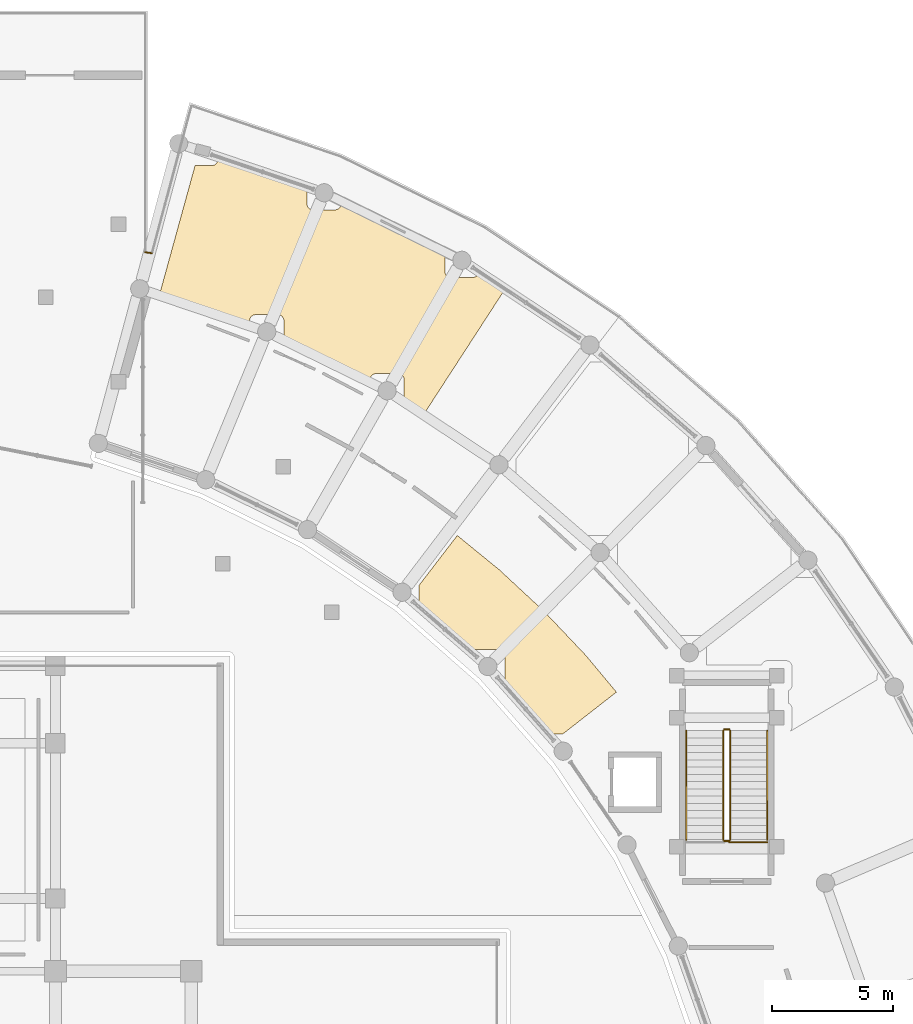
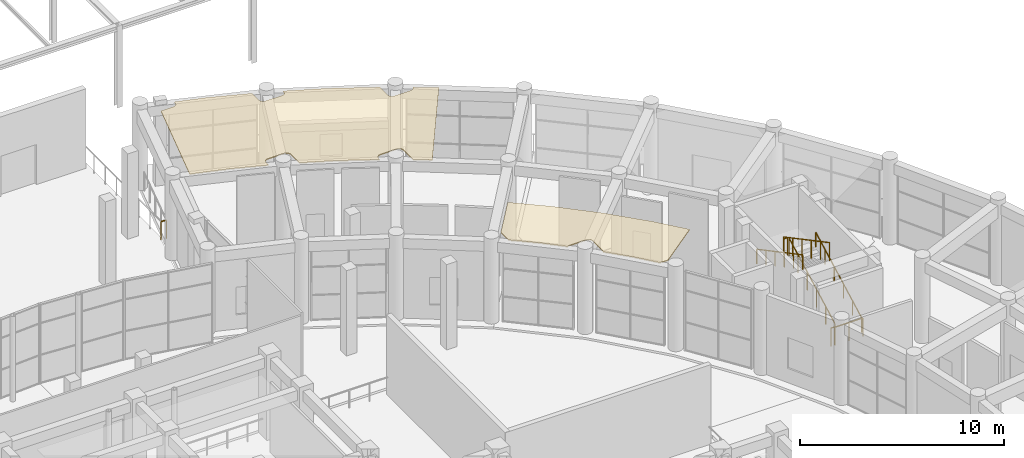
# One storey, part 95 of 99: 8 railings, 2 coverings.
"""IFC4 building model written with IfcOpenShell, lengths in metres."""

from ifc_helpers import new_model, si_unit, direction, frame, origin, origin_2d, place, context, subcontext, project, spatial, polyline, rectangle, outline, extrude, material, layer, layer_set, type_object, element, save


model = new_model("IFC4")

# Units and contexts
model_context = context("Model", 3, precision=1e-05, world=origin(), true_north=direction((0.0, 1.0)))
body_context = subcontext(model_context, "Body", "Model", "MODEL_VIEW")
ifc_project = project(units=[si_unit("LENGTHUNIT", "METRE"), si_unit("AREAUNIT", "SQUARE_METRE"), si_unit("VOLUMEUNIT", "CUBIC_METRE"), si_unit("PLANEANGLEUNIT", "RADIAN"), si_unit("MASSUNIT", "GRAM", prefix="KILO")], contexts=[model_context])

# Site, building, storey
site_placement = place(None, origin())
site = spatial("IfcSite", under=ifc_project, at=site_placement, CompositionType="ELEMENT")
building_placement = place(site_placement, origin())
building = spatial("IfcBuilding", under=site, at=building_placement, Name="Saryqyr Civic Hall", CompositionType="ELEMENT")
storey_placement = place(building_placement, origin())
storey = spatial("IfcBuildingStorey", under=building, at=storey_placement, Name="L00", CompositionType="ELEMENT", Elevation=0.0)

# Coverings
ifc_material_1 = material(Name="Mineral-fibre acoustic ceiling tile", Category="acoustic_tile")
ifc_layer_1 = layer(ifc_material_1, 0.06005859375, Name="Mineral-fibre acoustic ceiling tile")
ifc_layer_set_1 = layer_set([ifc_layer_1], Name="Mineral-fibre acoustic ceiling tile")
covering_type = type_object("IfcCoveringType", Name="INT-COV-CEIL-60", PredefinedType="CEILING", material=ifc_layer_set_1)
covering_1_placement = place(storey_placement, frame((0.0, 0.0, 4.760009765625)))
element("IfcCovering", 1, at=covering_1_placement, inside=storey, type_object=covering_type, Name="Acoustic ceiling Public Toilet Block & Accessible MGN WC L00-N", PredefinedType="CEILING", context=body_context, shape_type="SweptSolid", body=[
    extrude(outline(polyline([(74.018310546875, 123.19873046875), (74.018310546875, 124.024169921875), (74.01708984375, 124.048583984375), (74.013427734375, 124.072998046875), (74.007568359375, 124.0966796875), (73.999267578125, 124.119873046875), (73.98876953125, 124.141845703125), (73.976318359375, 124.1630859375), (73.961669921875, 124.1826171875), (73.945068359375, 124.200927734375), (73.927001953125, 124.21728515625), (73.9072265625, 124.23193359375), (73.885986328125, 124.24462890625), (73.864013671875, 124.255126953125), (73.8408203125, 124.26318359375), (73.817138671875, 124.269287109375), (73.792724609375, 124.27294921875), (73.768310546875, 124.274169921875), (72.8583984375, 124.274169921875), (72.833740234375, 124.27294921875), (72.8095703125, 124.269287109375), (72.78564453125, 124.26318359375), (72.7626953125, 124.255126953125), (72.740478515625, 124.24462890625), (72.719482421875, 124.23193359375), (72.69970703125, 124.21728515625), (72.681396484375, 124.200927734375), (72.6650390625, 124.1826171875), (72.650390625, 124.1630859375), (72.6376953125, 124.141845703125), (72.627197265625, 124.119873046875), (72.619140625, 124.0966796875), (72.613037109375, 124.072998046875), (72.609619140625, 124.048583984375), (72.6083984375, 124.024169921875), (72.6083984375, 123.781494140625), (70.874755859375, 124.435546875), (70.8427734375, 124.446533203125), (68.87841796875, 125.052978515625), (70.35791015625, 130.42431640625), (71.050537109375, 130.42431640625), (71.0751953125, 130.425537109375), (71.099365234375, 130.42919921875), (71.123291015625, 130.435302734375), (71.146240234375, 130.443359375), (71.16845703125, 130.453857421875), (71.189453125, 130.466552734375), (71.209228515625, 130.481201171875), (71.227294921875, 130.49755859375), (71.243896484375, 130.515869140625), (71.258544921875, 130.535400390625), (71.27099609375, 130.556640625), (71.281494140625, 130.57861328125), (71.289794921875, 130.601806640625), (71.2958984375, 130.62548828125), (71.29931640625, 130.64990234375), (71.300537109375, 130.67431640625), (71.300537109375, 130.769287109375), (72.862060546875, 130.287353515625), (74.971435546875, 129.4912109375), (74.971435546875, 128.84619140625), (74.97265625, 128.821533203125), (74.976318359375, 128.79736328125), (74.982177734375, 128.7734375), (74.990478515625, 128.75048828125), (75.0009765625, 128.728271484375), (75.013427734375, 128.707275390625), (75.028076171875, 128.6875), (75.044677734375, 128.669189453125), (75.062744140625, 128.65283203125), (75.08251953125, 128.63818359375), (75.103515625, 128.62548828125), (75.125732421875, 128.614990234375), (75.148681640625, 128.60693359375), (75.172607421875, 128.600830078125), (75.197021484375, 128.597412109375), (75.221435546875, 128.59619140625), (76.13134765625, 128.59619140625), (76.156005859375, 128.597412109375), (76.18017578125, 128.600830078125), (76.2041015625, 128.60693359375), (76.22705078125, 128.614990234375), (76.249267578125, 128.62548828125), (76.270263671875, 128.63818359375), (76.2900390625, 128.65283203125), (76.30810546875, 128.669189453125), (76.32470703125, 128.6875), (76.33935546875, 128.707275390625), (76.351806640625, 128.728271484375), (76.3623046875, 128.75048828125), (76.37060546875, 128.7734375), (76.376708984375, 128.79736328125), (76.380126953125, 128.821533203125), (76.38134765625, 128.84619140625), (76.38134765625, 128.908203125), (78.409423828125, 127.997314453125), (80.654052734375, 126.818603515625), (80.654052734375, 126.061279296875), (80.6552734375, 126.036865234375), (80.658935546875, 126.012451171875), (80.664794921875, 125.98876953125), (80.673095703125, 125.965576171875), (80.68359375, 125.943603515625), (80.6962890625, 125.92236328125), (80.710693359375, 125.902587890625), (80.727294921875, 125.884521484375), (80.74560546875, 125.867919921875), (80.76513671875, 125.853515625), (80.786376953125, 125.8408203125), (80.808349609375, 125.830322265625), (80.83154296875, 125.822021484375), (80.855224609375, 125.816162109375), (80.879638671875, 125.8125), (80.904052734375, 125.811279296875), (81.814208984375, 125.811279296875), (81.838623046875, 125.8125), (81.86279296875, 125.816162109375), (81.88671875, 125.822021484375), (81.909912109375, 125.830322265625), (81.931884765625, 125.8408203125), (81.952880859375, 125.853515625), (81.97265625, 125.867919921875), (81.990966796875, 125.884521484375), (82.00732421875, 125.902587890625), (82.02197265625, 125.92236328125), (82.03466796875, 125.943603515625), (82.045166015625, 125.965576171875), (82.05322265625, 125.98876953125), (82.056640625, 126.001708984375), (83.147216796875, 125.3408203125), (79.783203125, 120.156982421875), (78.97900390625, 120.644775390625), (78.980712890625, 120.656982421875), (78.98193359375, 120.681640625), (78.98193359375, 121.591552734375), (78.980712890625, 121.6162109375), (78.977294921875, 121.640380859375), (78.97119140625, 121.664306640625), (78.962890625, 121.687255859375), (78.952392578125, 121.70947265625), (78.93994140625, 121.73046875), (78.92529296875, 121.750244140625), (78.90869140625, 121.768310546875), (78.890625, 121.784912109375), (78.870849609375, 121.799560546875), (78.849853515625, 121.81201171875), (78.82763671875, 121.822509765625), (78.8046875, 121.830810546875), (78.78076171875, 121.8369140625), (78.756591796875, 121.84033203125), (78.73193359375, 121.841552734375), (77.822021484375, 121.841552734375), (77.797607421875, 121.84033203125), (77.773193359375, 121.8369140625), (77.74951171875, 121.830810546875), (77.726318359375, 121.822509765625), (77.7041015625, 121.81201171875), (77.68310546875, 121.799560546875), (77.663330078125, 121.784912109375), (77.645263671875, 121.768310546875), (77.628662109375, 121.750244140625), (77.614013671875, 121.73046875), (77.6015625, 121.70947265625), (77.591064453125, 121.687255859375), (77.582763671875, 121.664306640625), (77.576904296875, 121.640380859375), (77.5732421875, 121.6162109375), (77.572021484375, 121.591552734375), (77.572021484375, 121.460693359375), (75.720458984375, 122.432861328125), (75.690185546875, 122.447509765625), (74.018310546875, 123.19873046875)])), origin(), (0.0, 0.0, 1.0), 0.06005859375),
])
covering_2_placement = place(storey_placement, frame((0.0, 0.0, 4.760009765625)))
element("IfcCovering", 2, at=covering_2_placement, inside=storey, type_object=covering_type, Name="Acoustic ceiling Petition & Ombudsman Hearing Rooms", PredefinedType="CEILING", context=body_context, shape_type="SweptSolid", body=[
    extrude(outline(polyline([(83.08984375, 109.172607421875), (83.102294921875, 109.193603515625), (83.11279296875, 109.2158203125), (83.12109375, 109.239013671875), (83.127197265625, 109.2626953125), (83.130615234375, 109.287109375), (83.1318359375, 109.3115234375), (83.1318359375, 110.221435546875), (83.130615234375, 110.24609375), (83.127197265625, 110.270263671875), (83.12109375, 110.294189453125), (83.11279296875, 110.317138671875), (83.102294921875, 110.33935546875), (83.08984375, 110.3603515625), (83.0751953125, 110.380126953125), (83.05859375, 110.398193359375), (83.04052734375, 110.414794921875), (83.020751953125, 110.429443359375), (82.999755859375, 110.44189453125), (82.9775390625, 110.452392578125), (82.95458984375, 110.460693359375), (82.9306640625, 110.466796875), (82.906494140625, 110.47021484375), (82.8818359375, 110.471435546875), (81.971923828125, 110.471435546875), (81.947509765625, 110.47021484375), (81.923095703125, 110.466796875), (81.8994140625, 110.460693359375), (81.876220703125, 110.452392578125), (81.85400390625, 110.44189453125), (81.8330078125, 110.429443359375), (81.822265625, 110.42138671875), (80.826416015625, 111.345947265625), (80.7998046875, 111.369140625), (79.597900390625, 112.349609375), (79.59912109375, 112.373779296875), (79.59912109375, 113.123046875), (81.1689453125, 115.1689453125), (82.90087890625, 113.756103515625), (84.748779296875, 112.041015625), (86.483154296875, 110.2109375), (87.732421875, 108.712158203125), (85.5126953125, 106.9794921875), (85.080810546875, 106.9794921875), (85.05615234375, 106.978271484375), (85.042236328125, 106.976318359375), (84.118408203125, 108.0849609375), (84.094970703125, 108.111328125), (83.08935546875, 109.172119140625), (83.08984375, 109.172607421875)])), origin(), (0.0, 0.0, 1.0), 0.06005859375),
])

# Railings
ifc_material_2 = material(Name="Warm brushed brass and laminated glass", Category="glass")
ifc_layer_2 = layer(ifc_material_2, 0.06005859375, Name="Warm brushed brass and laminated glass")
ifc_layer_set_2 = layer_set([ifc_layer_2], Name="Warm brushed brass and laminated glass")
railing_type_1 = type_object("IfcRailingType", Name="INT-RLG-BAL-1100", PredefinedType="BALUSTRADE", material=ifc_layer_set_2)
railing_1_placement = place(storey_placement, frame((92.429931640625, 102.6201171875, 0.159423828125)))
element("IfcRailing", 3, at=railing_1_placement, inside=storey, type_object=railing_type_1, Name="L00 ST-6 stair guard 1", PredefinedType="BALUSTRADE", context=body_context, shape_type="SweptSolid", body=[
    extrude(rectangle(XDim=0.048095703125, YDim=0.048095703125, at=origin_2d()), frame((0.0, 0.0, 1.076171875), z_axis=(0.0, 0.883115719457, 0.469155225962), x_axis=(-1.0, 0.0, 0.0)), (0.0, 0.0, 1.0), 5.095703125),
    extrude(rectangle(XDim=0.0419921875, YDim=0.0419921875, at=origin_2d()), origin(), (0.0, 0.0, 1.0), 1.052001953125),
    extrude(rectangle(XDim=0.0419921875, YDim=0.0419921875, at=origin_2d()), frame((0.0, 0.89990234375, 0.47802734375)), (0.0, 0.0, 1.0), 1.052001953125),
    extrude(rectangle(XDim=0.0419921875, YDim=0.0419921875, at=origin_2d()), frame((0.0, 1.800048828125, 0.956298828125)), (0.0, 0.0, 1.0), 1.052001953125),
    extrude(rectangle(XDim=0.0419921875, YDim=0.0419921875, at=origin_2d()), frame((0.0, 2.699951171875, 1.434326171875)), (0.0, 0.0, 1.0), 1.052001953125),
    extrude(rectangle(XDim=0.0419921875, YDim=0.0419921875, at=origin_2d()), frame((0.0, 3.60009765625, 1.91259765625)), (0.0, 0.0, 1.0), 1.052001953125),
    extrude(rectangle(XDim=0.0419921875, YDim=0.0419921875, at=origin_2d()), frame((0.0, 4.5, 2.390625)), (0.0, 0.0, 1.0), 1.052001953125),
])
railing_2_placement = place(storey_placement, frame((92.3798828125, 107.169921875, 2.550048828125)))
element("IfcRailing", 4, at=railing_2_placement, inside=storey, type_object=railing_type_1, Name="L00 ST-6 stair guard 2", PredefinedType="BALUSTRADE", context=body_context, shape_type="SweptSolid", body=[
    extrude(rectangle(XDim=0.048095703125, YDim=0.048095703125, at=origin_2d()), frame((0.0, 0.0, 1.076171875), z_axis=(-1.0, 0.0, 0.0), x_axis=(0.0, -1.0, 0.0)), (0.0, 0.0, 1.0), 0.199951171875),
    extrude(rectangle(XDim=0.0419921875, YDim=0.0419921875, at=origin_2d()), origin(), (0.0, 0.0, 1.0), 1.052001953125),
    extrude(rectangle(XDim=0.0419921875, YDim=0.0419921875, at=origin_2d()), frame((-0.199951171875, 0.0, 0.0)), (0.0, 0.0, 1.0), 1.052001953125),
])
railing_3_placement = place(storey_placement, frame((92.1298828125, 107.1201171875, 2.70947265625)))
element("IfcRailing", 5, at=railing_3_placement, inside=storey, type_object=railing_type_1, Name="L00 ST-6 stair guard 3", PredefinedType="BALUSTRADE", context=body_context, shape_type="SweptSolid", body=[
    extrude(rectangle(XDim=0.048095703125, YDim=0.048095703125, at=origin_2d()), frame((0.0, 0.0, 1.076171875), z_axis=(0.0, -0.883115719457, 0.469155225962), x_axis=(1.0, 0.0, 0.0)), (0.0, 0.0, 1.0), 5.095703125),
    extrude(rectangle(XDim=0.0419921875, YDim=0.0419921875, at=origin_2d()), origin(), (0.0, 0.0, 1.0), 1.052001953125),
    extrude(rectangle(XDim=0.0419921875, YDim=0.0419921875, at=origin_2d()), frame((0.0, -0.89990234375, 0.47802734375)), (0.0, 0.0, 1.0), 1.052001953125),
    extrude(rectangle(XDim=0.0419921875, YDim=0.0419921875, at=origin_2d()), frame((0.0, -1.800048828125, 0.956298828125)), (0.0, 0.0, 1.0), 1.052001953125),
    extrude(rectangle(XDim=0.0419921875, YDim=0.0419921875, at=origin_2d()), frame((0.0, -2.699951171875, 1.434326171875)), (0.0, 0.0, 1.0), 1.052001953125),
    extrude(rectangle(XDim=0.0419921875, YDim=0.0419921875, at=origin_2d()), frame((0.0, -3.60009765625, 1.91259765625)), (0.0, 0.0, 1.0), 1.052001953125),
    extrude(rectangle(XDim=0.0419921875, YDim=0.0419921875, at=origin_2d()), frame((0.0, -4.5, 2.390625)), (0.0, 0.0, 1.0), 1.052001953125),
])
railing_4_placement = place(storey_placement, frame((92.3798828125, 102.570068359375, 0.0)))
element("IfcRailing", 6, at=railing_4_placement, inside=storey, type_object=railing_type_1, Name="L00 ST-6 stair guard 4", PredefinedType="BALUSTRADE", context=body_context, shape_type="SweptSolid", body=[
    extrude(rectangle(XDim=0.048095703125, YDim=0.048095703125, at=origin_2d()), frame((0.0, 0.0, 1.076171875), z_axis=(-1.0, 0.0, 0.0), x_axis=(0.0, -1.0, 0.0)), (0.0, 0.0, 1.0), 0.199951171875),
    extrude(rectangle(XDim=0.0419921875, YDim=0.0419921875, at=origin_2d()), origin(), (0.0, 0.0, 1.0), 1.052001953125),
    extrude(rectangle(XDim=0.0419921875, YDim=0.0419921875, at=origin_2d()), frame((-0.199951171875, 0.0, 0.0)), (0.0, 0.0, 1.0), 1.052001953125),
])
railing_5_placement = place(storey_placement, frame((68.300048828125, 126.8466796875, 0.0)))
element("IfcRailing", 7, at=railing_5_placement, inside=storey, type_object=railing_type_1, Name="Interior deck safety balustrade L00-013", PredefinedType="BALUSTRADE", context=body_context, shape_type="SweptSolid", body=[
    extrude(rectangle(XDim=0.048095703125, YDim=0.048095703125, at=origin_2d()), frame((0.0, 0.0, 1.09619140625), z_axis=(0.991457294924, -0.130431715243, 0.0), x_axis=(0.130431715243, 0.991457294924, 0.0)), (0.0, 0.0, 1.0), 0.277099609375),
    extrude(rectangle(XDim=0.0419921875, YDim=0.0419921875, at=origin_2d()), origin(), (0.0, 0.0, 1.0), 1.072021484375),
    extrude(rectangle(XDim=0.0419921875, YDim=0.0419921875, at=origin_2d()), frame((0.274658203125, -0.0361328125, 0.0)), (0.0, 0.0, 1.0), 1.072021484375),
])
railing_6_placement = place(storey_placement, frame((92.3798828125, 102.52001953125, 0.0)))
element("IfcRailing", 8, at=railing_6_placement, inside=storey, type_object=railing_type_1, Name="Interior deck safety balustrade L00-063", PredefinedType="BALUSTRADE", context=body_context, shape_type="SweptSolid", body=[
    extrude(rectangle(XDim=0.048095703125, YDim=0.048095703125, at=origin_2d()), frame((0.0, 0.0, 1.09619140625), z_axis=(1.0, 0.0, 0.0), x_axis=(0.0, 1.0, 0.0)), (0.0, 0.0, 1.0), 1.5751953125),
    extrude(rectangle(XDim=0.0419921875, YDim=0.0419921875, at=origin_2d()), origin(), (0.0, 0.0, 1.0), 1.072021484375),
    extrude(rectangle(XDim=0.0419921875, YDim=0.0419921875, at=origin_2d()), frame((0.78759765625, 0.0, 0.0)), (0.0, 0.0, 1.0), 1.072021484375),
    extrude(rectangle(XDim=0.0419921875, YDim=0.0419921875, at=origin_2d()), frame((1.5751953125, 0.0, 0.0)), (0.0, 0.0, 1.0), 1.072021484375),
])
ifc_material_3 = material(Name="Stainless steel", Category="steel")
ifc_layer_3 = layer(ifc_material_3, 0.050048828125, Name="Stainless steel")
ifc_layer_set_3 = layer_set([ifc_layer_3], Name="Stainless steel")
railing_type_2 = type_object("IfcRailingType", Name="INT-RLG-HND-900", PredefinedType="HANDRAIL", material=ifc_layer_set_3)
railing_7_placement = place(storey_placement, frame((93.949951171875, 102.6201171875, 0.159423828125)))
element("IfcRailing", 9, at=railing_7_placement, inside=storey, type_object=railing_type_2, Name="L00 ST-6 stair handrail 1", PredefinedType="HANDRAIL", context=body_context, shape_type="SweptSolid", body=[
    extrude(rectangle(XDim=0.048095703125, YDim=0.048095703125, at=origin_2d()), frame((0.0, 0.0, 0.8759765625), z_axis=(0.0, 0.883115719457, 0.469155225962), x_axis=(-1.0, 0.0, 0.0)), (0.0, 0.0, 1.0), 5.095703125),
    extrude(rectangle(XDim=0.0419921875, YDim=0.0419921875, at=origin_2d()), origin(), (0.0, 0.0, 1.0), 0.851806640625),
    extrude(rectangle(XDim=0.0419921875, YDim=0.0419921875, at=origin_2d()), frame((0.0, 0.89990234375, 0.47802734375)), (0.0, 0.0, 1.0), 0.851806640625),
    extrude(rectangle(XDim=0.0419921875, YDim=0.0419921875, at=origin_2d()), frame((0.0, 1.800048828125, 0.956298828125)), (0.0, 0.0, 1.0), 0.851806640625),
    extrude(rectangle(XDim=0.0419921875, YDim=0.0419921875, at=origin_2d()), frame((0.0, 2.699951171875, 1.434326171875)), (0.0, 0.0, 1.0), 0.851806640625),
    extrude(rectangle(XDim=0.0419921875, YDim=0.0419921875, at=origin_2d()), frame((0.0, 3.60009765625, 1.91259765625)), (0.0, 0.0, 1.0), 0.851806640625),
    extrude(rectangle(XDim=0.0419921875, YDim=0.0419921875, at=origin_2d()), frame((0.0, 4.5, 2.390625)), (0.0, 0.0, 1.0), 0.851806640625),
])
railing_8_placement = place(storey_placement, frame((90.610107421875, 107.1201171875, 2.70947265625)))
element("IfcRailing", 10, at=railing_8_placement, inside=storey, type_object=railing_type_2, Name="L00 ST-6 stair handrail 2", PredefinedType="HANDRAIL", context=body_context, shape_type="SweptSolid", body=[
    extrude(rectangle(XDim=0.048095703125, YDim=0.048095703125, at=origin_2d()), frame((0.0, 0.0, 0.8759765625), z_axis=(0.0, -0.883115719457, 0.469155225962), x_axis=(1.0, 0.0, 0.0)), (0.0, 0.0, 1.0), 5.095703125),
    extrude(rectangle(XDim=0.0419921875, YDim=0.0419921875, at=origin_2d()), origin(), (0.0, 0.0, 1.0), 0.851806640625),
    extrude(rectangle(XDim=0.0419921875, YDim=0.0419921875, at=origin_2d()), frame((0.0, -0.89990234375, 0.47802734375)), (0.0, 0.0, 1.0), 0.851806640625),
    extrude(rectangle(XDim=0.0419921875, YDim=0.0419921875, at=origin_2d()), frame((0.0, -1.800048828125, 0.956298828125)), (0.0, 0.0, 1.0), 0.851806640625),
    extrude(rectangle(XDim=0.0419921875, YDim=0.0419921875, at=origin_2d()), frame((0.0, -2.699951171875, 1.434326171875)), (0.0, 0.0, 1.0), 0.851806640625),
    extrude(rectangle(XDim=0.0419921875, YDim=0.0419921875, at=origin_2d()), frame((0.0, -3.60009765625, 1.91259765625)), (0.0, 0.0, 1.0), 0.851806640625),
    extrude(rectangle(XDim=0.0419921875, YDim=0.0419921875, at=origin_2d()), frame((0.0, -4.5, 2.390625)), (0.0, 0.0, 1.0), 0.851806640625),
])

save(model, "model.ifc")
